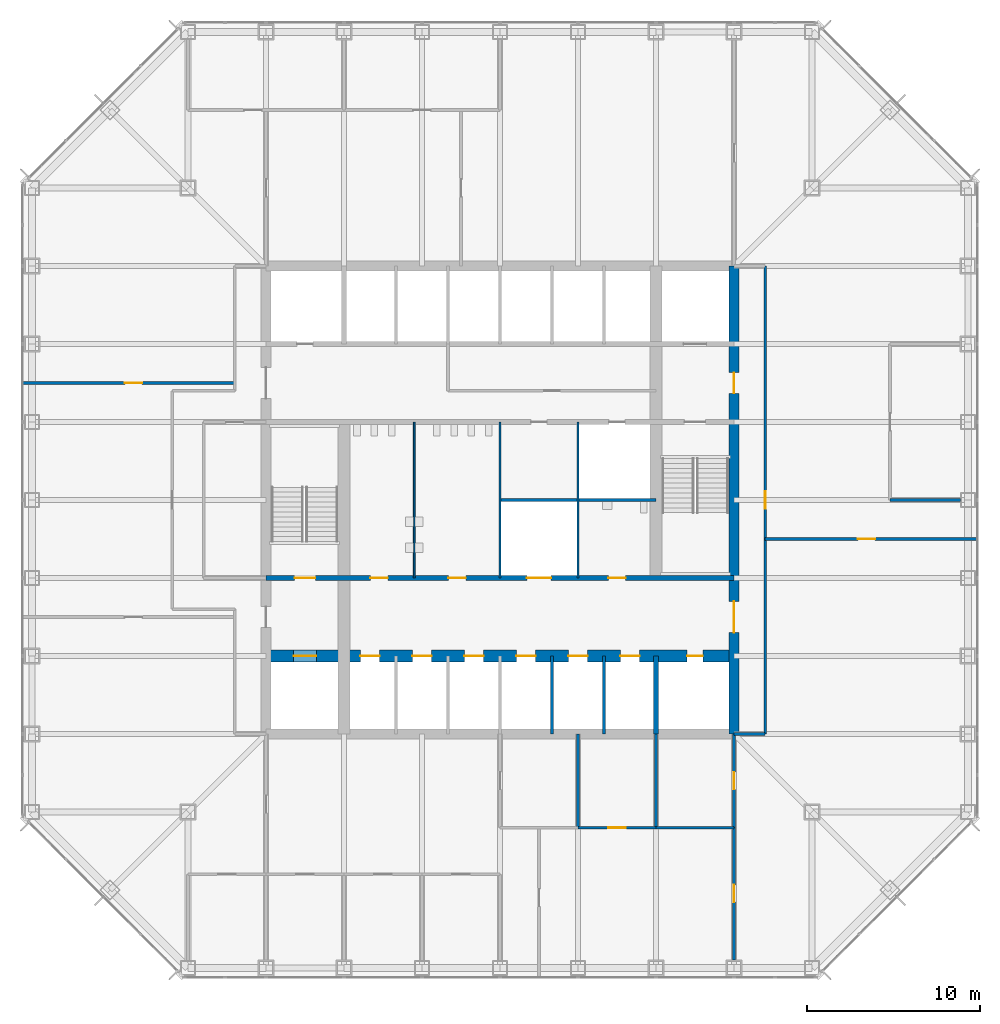
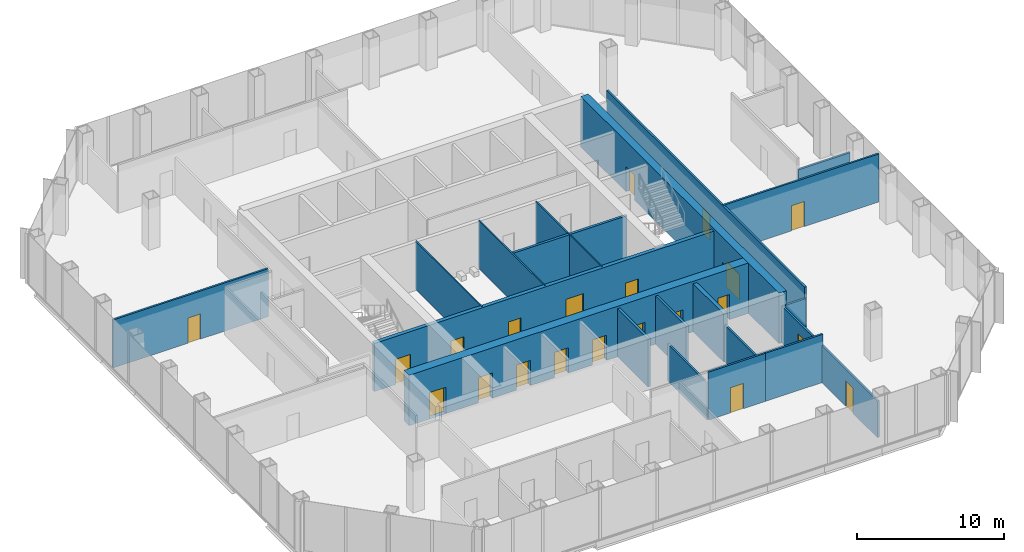
# One storey, part 9 of 12: 21 doors, 21 walls, 21 openings.
"""IFC4 building model written with IfcOpenShell, lengths in metres."""

from ifc_helpers import new_model, si_unit, direction, frame, frame_2d, origin, place, context, subcontext, project, spatial, rectangle, extrude, material, layer, layer_set, type_object, element, fill, save


model = new_model("IFC4")

# Units and contexts
model_context = context("Model", 3, precision=1e-05, world=origin(), true_north=direction((0.0, 1.0)))
body_context = subcontext(model_context, "Body", "Model", "MODEL_VIEW")
ifc_project = project(units=[si_unit("LENGTHUNIT", "METRE"), si_unit("AREAUNIT", "SQUARE_METRE"), si_unit("VOLUMEUNIT", "CUBIC_METRE"), si_unit("PLANEANGLEUNIT", "RADIAN"), si_unit("MASSUNIT", "GRAM", prefix="KILO")], contexts=[model_context])

# Site, building, storey
site_placement = place(None, origin())
site = spatial("IfcSite", under=ifc_project, at=site_placement, CompositionType="ELEMENT")
building_placement = place(site_placement, origin())
building = spatial("IfcBuilding", under=site, at=building_placement, Name="Corais Broadcast Tower", CompositionType="ELEMENT")
storey_placement = place(building_placement, frame((0.0, 0.0, 100.39990234375)))
storey = spatial("IfcBuildingStorey", under=building, at=storey_placement, Name="L22", CompositionType="ELEMENT", Elevation=100.39990234375)

# Wall
ifc_material_1 = material(Name="Concrete blockwork class A, grouted, two-hour", Category="masonry")
ifc_layer_1 = layer(ifc_material_1, 0.300048828125)
ifc_layer_set_1 = layer_set([ifc_layer_1], Name="Concrete blockwork class A, grouted, two-hour")
wall_type_1 = type_object("IfcWallType", Name="Core lobby wall 300", PredefinedType="SOLIDWALL", material=ifc_layer_set_1)
wall_1_placement = place(storey_placement, frame((36.0, 13.5, 0.0), z_axis=(0.0, 0.0, 1.0), x_axis=(0.0, 1.0, 0.0)))
element("IfcWall", 1, at=wall_1_placement, inside=storey, type_object=wall_type_1, Name="CL1 core shaft wall X36A L22", PredefinedType="SOLIDWALL", context=body_context, shape_type="SweptSolid", body=[
    extrude(rectangle(XDim=4.5, YDim=0.300048828125, at=frame_2d((2.25, 0.0))), origin(), (0.0, 0.0, 1.0), 4.0),
])

# Wall, openings, doors
wall_2_placement = place(storey_placement, frame((13.5, 22.5, 0.0), z_axis=(0.0, 0.0, 1.0), x_axis=(1.0, 0.0, 0.0)))
wall_2 = element("IfcWall", 2, at=wall_2_placement, inside=storey, type_object=wall_type_1, Name="CL1 core lobby wall Y225 L22", PredefinedType="SOLIDWALL", context=body_context, shape_type="SweptSolid", body=[
    extrude(rectangle(XDim=27.0, YDim=0.300048828125, at=frame_2d((13.5, 0.0))), origin(), (0.0, 0.0, 1.0), 4.0),
])
opening_1_placement = place(wall_2_placement, frame((1.64990234375, 0.0, 0.0)))
opening_1 = element("IfcOpeningElement", 3, at=opening_1_placement, cuts=wall_2, Name="Opening FD1", PredefinedType="OPENING", context=body_context, shape_type="SweptSolid", body=[
    extrude(rectangle(XDim=1.199951171875, YDim=2.10009765625, at=frame_2d((0.60009765625, 1.050048828125))), frame((0.0, 0.159912109375, 0.0), z_axis=(0.0, -1.0, 0.0), x_axis=(1.0, 0.0, 0.0)), (0.0, 0.0, 1.0), 0.320068359375),
])
opening_2_placement = place(wall_2_placement, frame((6.02490234375, 0.0, 0.0)))
opening_2 = element("IfcOpeningElement", 4, at=opening_2_placement, cuts=wall_2, Name="Opening WD1", PredefinedType="OPENING", context=body_context, shape_type="SweptSolid", body=[
    extrude(rectangle(XDim=1.0, YDim=2.10009765625, at=frame_2d((0.5, 1.050048828125))), frame((0.0, 0.159912109375, 0.0), z_axis=(0.0, -1.0, 0.0), x_axis=(1.0, 0.0, 0.0)), (0.0, 0.0, 1.0), 0.320068359375),
])
opening_3_placement = place(wall_2_placement, frame((10.52490234375, 0.0, 0.0)))
opening_3 = element("IfcOpeningElement", 5, at=opening_3_placement, cuts=wall_2, Name="Opening WD1", PredefinedType="OPENING", context=body_context, shape_type="SweptSolid", body=[
    extrude(rectangle(XDim=1.0, YDim=2.10009765625, at=frame_2d((0.5, 1.050048828125))), frame((0.0, 0.159912109375, 0.0), z_axis=(0.0, -1.0, 0.0), x_axis=(1.0, 0.0, 0.0)), (0.0, 0.0, 1.0), 0.320068359375),
])
opening_4_placement = place(wall_2_placement, frame((19.75, 0.0, 0.0)))
opening_4 = element("IfcOpeningElement", 6, at=opening_4_placement, cuts=wall_2, Name="Opening WD1", PredefinedType="OPENING", context=body_context, shape_type="SweptSolid", body=[
    extrude(rectangle(XDim=1.0, YDim=2.10009765625, at=frame_2d((0.5, 1.050048828125))), frame((0.0, 0.159912109375, 0.0), z_axis=(0.0, -1.0, 0.0), x_axis=(1.0, 0.0, 0.0)), (0.0, 0.0, 1.0), 0.320068359375),
])
opening_5_placement = place(wall_2_placement, frame((15.050048828125, 0.0, 0.0)))
opening_5 = element("IfcOpeningElement", 7, at=opening_5_placement, cuts=wall_2, Name="Opening LD3", PredefinedType="OPENING", context=body_context, shape_type="SweptSolid", body=[
    extrude(rectangle(XDim=1.39990234375, YDim=2.39990234375, at=frame_2d((0.699951171875, 1.199951171875))), frame((0.0, 0.159912109375, 0.0), z_axis=(0.0, -1.0, 0.0), x_axis=(1.0, 0.0, 0.0)), (0.0, 0.0, 1.0), 0.320068359375),
])
ifc_material_2 = material(Name="Steel fire door", Category="steel")
door_type_1 = type_object("IfcDoorType", Name="Fire door 1200x2100", OperationType="SINGLE_SWING_LEFT", PredefinedType="DOOR", material=ifc_material_2)
door_1_placement = place(opening_1_placement, origin())
door_1 = element("IfcDoor", 8, at=door_1_placement, inside=storey, type_object=door_type_1, Name="FD1 stair A door L22", OperationType="SINGLE_SWING_LEFT", OverallHeight=2.10009765625, OverallWidth=1.199951171875, PredefinedType="DOOR", context=body_context, shape_type="SweptSolid", body=[
    extrude(rectangle(XDim=1.199951171875, YDim=2.10009765625, at=frame_2d((0.60009765625, 1.050048828125))), frame((0.0, 0.02490234375, 0.0), z_axis=(0.0, -1.0, 0.0), x_axis=(1.0, 0.0, 0.0)), (0.0, 0.0, 1.0), 0.050048828125),
])
fill(opening_1, door_1)
ifc_material_3 = material(Name="Stainless steel lift door", Category="steel")
door_type_2 = type_object("IfcDoorType", Name="Service lift landing door 1400x2400", OperationType="SLIDING_TO_LEFT", PredefinedType="DOOR", material=ifc_material_3)
door_2_placement = place(opening_5_placement, origin())
door_2 = element("IfcDoor", 9, at=door_2_placement, inside=storey, type_object=door_type_2, Name="LD3 SL1 landing door L22", OperationType="SLIDING_TO_LEFT", OverallHeight=2.39990234375, OverallWidth=1.39990234375, PredefinedType="DOOR", context=body_context, shape_type="SweptSolid", body=[
    extrude(rectangle(XDim=1.39990234375, YDim=2.39990234375, at=frame_2d((0.699951171875, 1.199951171875))), frame((0.0, 0.02490234375, 0.0), z_axis=(0.0, -1.0, 0.0), x_axis=(1.0, 0.0, 0.0)), (0.0, 0.0, 1.0), 0.050048828125),
])
fill(opening_5, door_2)
ifc_material_4 = material(Name="Timber door", Category="wood")
door_type_3 = type_object("IfcDoorType", Name="Toilet door 1000x2100", OperationType="SINGLE_SWING_LEFT", PredefinedType="DOOR", material=ifc_material_4)
door_3_placement = place(opening_2_placement, origin())
door_3 = element("IfcDoor", 10, at=door_3_placement, inside=storey, type_object=door_type_3, Name="WD1 WC male door L22", OperationType="SINGLE_SWING_LEFT", OverallHeight=2.10009765625, OverallWidth=1.0, PredefinedType="DOOR", context=body_context, shape_type="SweptSolid", body=[
    extrude(rectangle(XDim=1.0, YDim=2.10009765625, at=frame_2d((0.5, 1.050048828125))), frame((0.0, 0.02490234375, 0.0), z_axis=(0.0, -1.0, 0.0), x_axis=(1.0, 0.0, 0.0)), (0.0, 0.0, 1.0), 0.050048828125),
])
fill(opening_2, door_3)
door_4_placement = place(opening_3_placement, origin())
door_4 = element("IfcDoor", 11, at=door_4_placement, inside=storey, type_object=door_type_3, Name="WD1 WC female door L22", OperationType="SINGLE_SWING_LEFT", OverallHeight=2.10009765625, OverallWidth=1.0, PredefinedType="DOOR", context=body_context, shape_type="SweptSolid", body=[
    extrude(rectangle(XDim=1.0, YDim=2.10009765625, at=frame_2d((0.5, 1.050048828125))), frame((0.0, 0.02490234375, 0.0), z_axis=(0.0, -1.0, 0.0), x_axis=(1.0, 0.0, 0.0)), (0.0, 0.0, 1.0), 0.050048828125),
])
fill(opening_3, door_4)
door_5_placement = place(opening_4_placement, origin())
door_5 = element("IfcDoor", 12, at=door_5_placement, inside=storey, type_object=door_type_3, Name="WD1 accessible WC door L22", OperationType="SINGLE_SWING_RIGHT", OverallHeight=2.10009765625, OverallWidth=1.0, PredefinedType="DOOR", context=body_context, shape_type="SweptSolid", body=[
    extrude(rectangle(XDim=1.0, YDim=2.10009765625, at=frame_2d((0.5, 1.050048828125))), frame((0.0, 0.02490234375, 0.0), z_axis=(0.0, -1.0, 0.0), x_axis=(1.0, 0.0, 0.0)), (0.0, 0.0, 1.0), 0.050048828125),
])
fill(opening_4, door_5)

ifc_material_5 = material(Name="Concrete C50/60", Category="concrete")
ifc_layer_2 = layer(ifc_material_5, 0.699951171875)
ifc_layer_set_2 = layer_set([ifc_layer_2], Name="Concrete C50/60")
wall_type_2 = type_object("IfcWallType", Name="Core spine wall 700", PredefinedType="SHEAR", material=ifc_layer_set_2)
wall_3_placement = place(storey_placement, frame((13.5, 18.0, 0.0), z_axis=(0.0, 0.0, 1.0), x_axis=(1.0, 0.0, 0.0)))
wall_3 = element("IfcWall", 13, at=wall_3_placement, inside=storey, type_object=wall_type_2, Name="CR700 core wall Y18 L22", PredefinedType="SHEAR", context=body_context, shape_type="SweptSolid", body=[
    extrude(rectangle(XDim=27.0, YDim=0.699951171875, at=frame_2d((13.5, 0.0))), origin(), (0.0, 0.0, 1.0), 4.2001953125),
])
opening_6_placement = place(wall_3_placement, frame((24.300048828125, 0.0, 0.0)))
opening_6 = element("IfcOpeningElement", 14, at=opening_6_placement, cuts=wall_3, Name="Opening RD1", PredefinedType="OPENING", context=body_context, shape_type="SweptSolid", body=[
    extrude(rectangle(XDim=0.89990234375, YDim=2.10009765625, at=frame_2d((0.449951171875, 1.050048828125))), frame((0.0, 0.35986328125, 0.0), z_axis=(0.0, -1.0, 0.0), x_axis=(1.0, 0.0, 0.0)), (0.0, 0.0, 1.0), 0.719970703125),
])
opening_7_placement = place(wall_3_placement, frame((5.449951171875, 0.0, 0.0)))
opening_7 = element("IfcOpeningElement", 15, at=opening_7_placement, cuts=wall_3, Name="Opening LD1", PredefinedType="OPENING", context=body_context, shape_type="SweptSolid", body=[
    extrude(rectangle(XDim=1.10009765625, YDim=2.10009765625, at=frame_2d((0.550048828125, 1.050048828125))), frame((0.0, 0.35986328125, 0.0), z_axis=(0.0, -1.0, 0.0), x_axis=(1.0, 0.0, 0.0)), (0.0, 0.0, 1.0), 0.719970703125),
])
opening_8_placement = place(wall_3_placement, frame((8.449951171875, 0.0, 0.0)))
opening_8 = element("IfcOpeningElement", 16, at=opening_8_placement, cuts=wall_3, Name="Opening LD1", PredefinedType="OPENING", context=body_context, shape_type="SweptSolid", body=[
    extrude(rectangle(XDim=1.10009765625, YDim=2.10009765625, at=frame_2d((0.550048828125, 1.050048828125))), frame((0.0, 0.35986328125, 0.0), z_axis=(0.0, -1.0, 0.0), x_axis=(1.0, 0.0, 0.0)), (0.0, 0.0, 1.0), 0.719970703125),
])
opening_9_placement = place(wall_3_placement, frame((11.449951171875, 0.0, 0.0)))
opening_9 = element("IfcOpeningElement", 17, at=opening_9_placement, cuts=wall_3, Name="Opening LD1", PredefinedType="OPENING", context=body_context, shape_type="SweptSolid", body=[
    extrude(rectangle(XDim=1.10009765625, YDim=2.10009765625, at=frame_2d((0.550048828125, 1.050048828125))), frame((0.0, 0.35986328125, 0.0), z_axis=(0.0, -1.0, 0.0), x_axis=(1.0, 0.0, 0.0)), (0.0, 0.0, 1.0), 0.719970703125),
])
opening_10_placement = place(wall_3_placement, frame((14.449951171875, 0.0, 0.0)))
opening_10 = element("IfcOpeningElement", 18, at=opening_10_placement, cuts=wall_3, Name="Opening LD1", PredefinedType="OPENING", context=body_context, shape_type="SweptSolid", body=[
    extrude(rectangle(XDim=1.10009765625, YDim=2.10009765625, at=frame_2d((0.550048828125, 1.050048828125))), frame((0.0, 0.35986328125, 0.0), z_axis=(0.0, -1.0, 0.0), x_axis=(1.0, 0.0, 0.0)), (0.0, 0.0, 1.0), 0.719970703125),
])
opening_11_placement = place(wall_3_placement, frame((17.449951171875, 0.0, 0.0)))
opening_11 = element("IfcOpeningElement", 19, at=opening_11_placement, cuts=wall_3, Name="Opening LD1", PredefinedType="OPENING", context=body_context, shape_type="SweptSolid", body=[
    extrude(rectangle(XDim=1.10009765625, YDim=2.10009765625, at=frame_2d((0.550048828125, 1.050048828125))), frame((0.0, 0.35986328125, 0.0), z_axis=(0.0, -1.0, 0.0), x_axis=(1.0, 0.0, 0.0)), (0.0, 0.0, 1.0), 0.719970703125),
])
opening_12_placement = place(wall_3_placement, frame((20.449951171875, 0.0, 0.0)))
opening_12 = element("IfcOpeningElement", 20, at=opening_12_placement, cuts=wall_3, Name="Opening LD1", PredefinedType="OPENING", context=body_context, shape_type="SweptSolid", body=[
    extrude(rectangle(XDim=1.10009765625, YDim=2.10009765625, at=frame_2d((0.550048828125, 1.050048828125))), frame((0.0, 0.35986328125, 0.0), z_axis=(0.0, -1.0, 0.0), x_axis=(1.0, 0.0, 0.0)), (0.0, 0.0, 1.0), 0.719970703125),
])
opening_13_placement = place(wall_3_placement, frame((1.60009765625, 0.0, 0.0)))
opening_13 = element("IfcOpeningElement", 21, at=opening_13_placement, cuts=wall_3, Name="Opening LD2", PredefinedType="OPENING", context=body_context, shape_type="SweptSolid", body=[
    extrude(rectangle(XDim=1.300048828125, YDim=2.199951171875, at=frame_2d((0.64990234375, 1.10009765625))), frame((0.0, 0.35986328125, 0.0), z_axis=(0.0, -1.0, 0.0), x_axis=(1.0, 0.0, 0.0)), (0.0, 0.0, 1.0), 0.719970703125),
])
ifc_material_6 = material(Name="Stainless steel lift door", Category="steel")
door_type_4 = type_object("IfcDoorType", Name="Lift landing door 1100x2100", OperationType="SLIDING_TO_LEFT", PredefinedType="DOOR", material=ifc_material_6)
door_6_placement = place(opening_7_placement, origin())
door_6 = element("IfcDoor", 22, at=door_6_placement, inside=storey, type_object=door_type_4, Name="LD1 PL1 landing door L22", OperationType="SLIDING_TO_LEFT", OverallHeight=2.10009765625, OverallWidth=1.10009765625, PredefinedType="DOOR", context=body_context, shape_type="SweptSolid", body=[
    extrude(rectangle(XDim=1.10009765625, YDim=2.10009765625, at=frame_2d((0.550048828125, 1.050048828125))), frame((0.0, 0.02490234375, 0.0), z_axis=(0.0, -1.0, 0.0), x_axis=(1.0, 0.0, 0.0)), (0.0, 0.0, 1.0), 0.050048828125),
])
fill(opening_7, door_6)
door_7_placement = place(opening_8_placement, origin())
door_7 = element("IfcDoor", 23, at=door_7_placement, inside=storey, type_object=door_type_4, Name="LD1 PL2 landing door L22", OperationType="SLIDING_TO_LEFT", OverallHeight=2.10009765625, OverallWidth=1.10009765625, PredefinedType="DOOR", context=body_context, shape_type="SweptSolid", body=[
    extrude(rectangle(XDim=1.10009765625, YDim=2.10009765625, at=frame_2d((0.550048828125, 1.050048828125))), frame((0.0, 0.02490234375, 0.0), z_axis=(0.0, -1.0, 0.0), x_axis=(1.0, 0.0, 0.0)), (0.0, 0.0, 1.0), 0.050048828125),
])
fill(opening_8, door_7)
door_8_placement = place(opening_9_placement, origin())
door_8 = element("IfcDoor", 24, at=door_8_placement, inside=storey, type_object=door_type_4, Name="LD1 PL3 landing door L22", OperationType="SLIDING_TO_LEFT", OverallHeight=2.10009765625, OverallWidth=1.10009765625, PredefinedType="DOOR", context=body_context, shape_type="SweptSolid", body=[
    extrude(rectangle(XDim=1.10009765625, YDim=2.10009765625, at=frame_2d((0.550048828125, 1.050048828125))), frame((0.0, 0.02490234375, 0.0), z_axis=(0.0, -1.0, 0.0), x_axis=(1.0, 0.0, 0.0)), (0.0, 0.0, 1.0), 0.050048828125),
])
fill(opening_9, door_8)
door_9_placement = place(opening_10_placement, origin())
door_9 = element("IfcDoor", 25, at=door_9_placement, inside=storey, type_object=door_type_4, Name="LD1 PL4 landing door L22", OperationType="SLIDING_TO_LEFT", OverallHeight=2.10009765625, OverallWidth=1.10009765625, PredefinedType="DOOR", context=body_context, shape_type="SweptSolid", body=[
    extrude(rectangle(XDim=1.10009765625, YDim=2.10009765625, at=frame_2d((0.550048828125, 1.050048828125))), frame((0.0, 0.02490234375, 0.0), z_axis=(0.0, -1.0, 0.0), x_axis=(1.0, 0.0, 0.0)), (0.0, 0.0, 1.0), 0.050048828125),
])
fill(opening_10, door_9)
door_10_placement = place(opening_11_placement, origin())
door_10 = element("IfcDoor", 26, at=door_10_placement, inside=storey, type_object=door_type_4, Name="LD1 PL5 landing door L22", OperationType="SLIDING_TO_LEFT", OverallHeight=2.10009765625, OverallWidth=1.10009765625, PredefinedType="DOOR", context=body_context, shape_type="SweptSolid", body=[
    extrude(rectangle(XDim=1.10009765625, YDim=2.10009765625, at=frame_2d((0.550048828125, 1.050048828125))), frame((0.0, 0.02490234375, 0.0), z_axis=(0.0, -1.0, 0.0), x_axis=(1.0, 0.0, 0.0)), (0.0, 0.0, 1.0), 0.050048828125),
])
fill(opening_11, door_10)
door_11_placement = place(opening_12_placement, origin())
door_11 = element("IfcDoor", 27, at=door_11_placement, inside=storey, type_object=door_type_4, Name="LD1 PL6 landing door L22", OperationType="SLIDING_TO_LEFT", OverallHeight=2.10009765625, OverallWidth=1.10009765625, PredefinedType="DOOR", context=body_context, shape_type="SweptSolid", body=[
    extrude(rectangle(XDim=1.10009765625, YDim=2.10009765625, at=frame_2d((0.550048828125, 1.050048828125))), frame((0.0, 0.02490234375, 0.0), z_axis=(0.0, -1.0, 0.0), x_axis=(1.0, 0.0, 0.0)), (0.0, 0.0, 1.0), 0.050048828125),
])
fill(opening_12, door_11)
ifc_material_7 = material(Name="Stainless steel lift door", Category="steel")
door_type_5 = type_object("IfcDoorType", Name="Lift landing door 1300x2200", OperationType="SLIDING_TO_LEFT", PredefinedType="DOOR", material=ifc_material_7)
door_12_placement = place(opening_13_placement, origin())
door_12 = element("IfcDoor", 28, at=door_12_placement, inside=storey, type_object=door_type_5, Name="LD2 FL1 landing door L22", OperationType="SLIDING_TO_LEFT", OverallHeight=2.199951171875, OverallWidth=1.300048828125, PredefinedType="DOOR", context=body_context, shape_type="SweptSolid", body=[
    extrude(rectangle(XDim=1.300048828125, YDim=2.199951171875, at=frame_2d((0.64990234375, 1.10009765625))), frame((0.0, 0.02490234375, 0.0), z_axis=(0.0, -1.0, 0.0), x_axis=(1.0, 0.0, 0.0)), (0.0, 0.0, 1.0), 0.050048828125),
])
fill(opening_13, door_12)
ifc_material_8 = material(Name="Steel fire door", Category="steel")
door_type_6 = type_object("IfcDoorType", Name="Riser door 900x2100", OperationType="SINGLE_SWING_LEFT", PredefinedType="DOOR", material=ifc_material_8)
door_13_placement = place(opening_6_placement, origin())
door_13 = element("IfcDoor", 29, at=door_13_placement, inside=storey, type_object=door_type_6, Name="RD1 riser door L22", OperationType="SINGLE_SWING_RIGHT", OverallHeight=2.10009765625, OverallWidth=0.89990234375, PredefinedType="DOOR", context=body_context, shape_type="SweptSolid", body=[
    extrude(rectangle(XDim=0.89990234375, YDim=2.10009765625, at=frame_2d((0.449951171875, 1.050048828125))), frame((0.0, 0.02490234375, 0.0), z_axis=(0.0, -1.0, 0.0), x_axis=(1.0, 0.0, 0.0)), (0.0, 0.0, 1.0), 0.050048828125),
])
fill(opening_6, door_13)

ifc_material_9 = material(Name="Concrete C50/60", Category="concrete")
ifc_layer_3 = layer(ifc_material_9, 0.60009765625)
ifc_layer_set_3 = layer_set([ifc_layer_3], Name="Concrete C50/60")
wall_type_3 = type_object("IfcWallType", Name="Core wall 600", PredefinedType="SHEAR", material=ifc_layer_set_3)
wall_4_placement = place(storey_placement, frame((40.5, 13.5, 0.0), z_axis=(0.0, 0.0, 1.0), x_axis=(0.0, 1.0, 0.0)))
wall_4 = element("IfcWall", 30, at=wall_4_placement, inside=storey, type_object=wall_type_3, Name="CR600 core wall E L22", PredefinedType="SHEAR", context=body_context, shape_type="SweptSolid", body=[
    extrude(rectangle(XDim=27.0, YDim=0.60009765625, at=frame_2d((13.5, 0.0))), origin(), (0.0, 0.0, 1.0), 4.2001953125),
])
opening_14_placement = place(wall_4_placement, frame((5.85009765625, 0.0, 0.0)))
opening_14 = element("IfcOpeningElement", 31, at=opening_14_placement, cuts=wall_4, Name="Opening FD2", PredefinedType="OPENING", context=body_context, shape_type="SweptSolid", body=[
    extrude(rectangle(XDim=1.800048828125, YDim=2.10009765625, at=frame_2d((0.89990234375, 1.050048828125))), frame((0.0, 0.31005859375, 0.0), z_axis=(0.0, -1.0, 0.0), x_axis=(1.0, 0.0, 0.0)), (0.0, 0.0, 1.0), 0.6201171875),
])
opening_15_placement = place(wall_4_placement, frame((19.64990234375, 0.0, 0.0)))
opening_15 = element("IfcOpeningElement", 32, at=opening_15_placement, cuts=wall_4, Name="Opening FD1", PredefinedType="OPENING", context=body_context, shape_type="SweptSolid", body=[
    extrude(rectangle(XDim=1.199951171875, YDim=2.10009765625, at=frame_2d((0.60009765625, 1.050048828125))), frame((0.0, 0.31005859375, 0.0), z_axis=(0.0, -1.0, 0.0), x_axis=(1.0, 0.0, 0.0)), (0.0, 0.0, 1.0), 0.6201171875),
])
door_14_placement = place(opening_15_placement, origin())
door_14 = element("IfcDoor", 33, at=door_14_placement, inside=storey, type_object=door_type_1, Name="FD1 fire lobby B door L22", OperationType="SINGLE_SWING_RIGHT", OverallHeight=2.10009765625, OverallWidth=1.199951171875, PredefinedType="DOOR", context=body_context, shape_type="SweptSolid", body=[
    extrude(rectangle(XDim=1.199951171875, YDim=2.10009765625, at=frame_2d((0.60009765625, 1.050048828125))), frame((0.0, 0.02490234375, 0.0), z_axis=(0.0, -1.0, 0.0), x_axis=(1.0, 0.0, 0.0)), (0.0, 0.0, 1.0), 0.050048828125),
])
fill(opening_15, door_14)
ifc_material_10 = material(Name="Steel fire door", Category="steel")
door_type_7 = type_object("IfcDoorType", Name="Fire door pair 1800x2100", OperationType="DOUBLE_DOOR_SINGLE_SWING", PredefinedType="DOOR", material=ifc_material_10)
door_15_placement = place(opening_14_placement, origin())
door_15 = element("IfcDoor", 34, at=door_15_placement, inside=storey, type_object=door_type_7, Name="FD2 lift lobby door L22", OperationType="SINGLE_SWING_LEFT", OverallHeight=2.10009765625, OverallWidth=1.800048828125, PredefinedType="DOOR", context=body_context, shape_type="SweptSolid", body=[
    extrude(rectangle(XDim=1.800048828125, YDim=2.10009765625, at=frame_2d((0.89990234375, 1.050048828125))), frame((0.0, 0.02490234375, 0.0), z_axis=(0.0, -1.0, 0.0), x_axis=(1.0, 0.0, 0.0)), (0.0, 0.0, 1.0), 0.050048828125),
])
fill(opening_14, door_15)

# Wall, opening, door
ifc_material_11 = material(Name="Gypsum board on steel studs", Category="steel")
ifc_layer_4 = layer(ifc_material_11, 0.14990234375)
ifc_layer_set_4 = layer_set([ifc_layer_4], Name="Gypsum board on steel studs")
wall_type_4 = type_object("IfcWallType", Name="Partition 150", PredefinedType="PARTITIONING", material=ifc_layer_set_4)
wall_5_placement = place(storey_placement, frame((42.300048828125, 13.5, 0.0), z_axis=(0.0, 0.0, 1.0), x_axis=(0.0, 1.0, 0.0)))
wall_5 = element("IfcWall", 35, at=wall_5_placement, inside=storey, type_object=wall_type_4, Name="IW3 corridor wall L22", PredefinedType="PARTITIONING", context=body_context, shape_type="SweptSolid", body=[
    extrude(rectangle(XDim=27.0, YDim=0.14990234375, at=frame_2d((13.5, 0.0))), origin(), (0.0, 0.0, 1.0), 4.0),
])
opening_16_placement = place(wall_5_placement, frame((13.0, 0.0, 0.0)))
opening_16 = element("IfcOpeningElement", 36, at=opening_16_placement, cuts=wall_5, Name="Opening D1", PredefinedType="OPENING", context=body_context, shape_type="SweptSolid", body=[
    extrude(rectangle(XDim=1.0, YDim=2.10009765625, at=frame_2d((0.5, 1.050048828125))), frame((0.0, 0.0849609375, 0.0), z_axis=(0.0, -1.0, 0.0), x_axis=(1.0, 0.0, 0.0)), (0.0, 0.0, 1.0), 0.169921875),
])
ifc_material_12 = material(Name="Timber door", Category="wood")
door_type_8 = type_object("IfcDoorType", Name="Single door 1000x2100", OperationType="SINGLE_SWING_LEFT", PredefinedType="DOOR", material=ifc_material_12)
door_16_placement = place(opening_16_placement, origin())
door_16 = element("IfcDoor", 37, at=door_16_placement, inside=storey, type_object=door_type_8, Name="D1 workplace door L22", OperationType="SINGLE_SWING_LEFT", OverallHeight=2.10009765625, OverallWidth=1.0, PredefinedType="DOOR", context=body_context, shape_type="SweptSolid", body=[
    extrude(rectangle(XDim=1.0, YDim=2.10009765625, at=frame_2d((0.5, 1.050048828125))), frame((0.0, 0.02490234375, 0.0), z_axis=(0.0, -1.0, 0.0), x_axis=(1.0, 0.0, 0.0)), (0.0, 0.0, 1.0), 0.050048828125),
])
fill(opening_16, door_16)

# Walls
wall_6_placement = place(storey_placement, frame((40.5, 13.5, 0.0), z_axis=(0.0, 0.0, 1.0), x_axis=(1.0, 0.0, 0.0)))
element("IfcWall", 38, at=wall_6_placement, inside=storey, type_object=wall_type_4, Name="IW3 corridor wall L22", PredefinedType="PARTITIONING", context=body_context, shape_type="SweptSolid", body=[
    extrude(rectangle(XDim=1.800048828125, YDim=0.14990234375, at=frame_2d((0.89990234375, 0.0))), origin(), (0.0, 0.0, 1.0), 3.068115234375),
])
wall_7_placement = place(storey_placement, frame((31.5, 8.10009765625, 0.0), z_axis=(0.0, 0.0, 1.0), x_axis=(0.0, 1.0, 0.0)))
element("IfcWall", 39, at=wall_7_placement, inside=storey, type_object=wall_type_4, Name="IW3 partition L22", PredefinedType="PARTITIONING", context=body_context, shape_type="SweptSolid", body=[
    extrude(rectangle(XDim=5.39990234375, YDim=0.14990234375, at=frame_2d((2.699951171875, 0.0))), origin(), (0.0, 0.0, 1.0), 3.068115234375),
])

# Wall, opening, door
wall_8_placement = place(storey_placement, frame((31.5, 8.10009765625, 0.0), z_axis=(0.0, 0.0, 1.0), x_axis=(1.0, 0.0, 0.0)))
wall_8 = element("IfcWall", 40, at=wall_8_placement, inside=storey, type_object=wall_type_4, Name="IW3 partition L22", PredefinedType="PARTITIONING", context=body_context, shape_type="SweptSolid", body=[
    extrude(rectangle(XDim=4.5, YDim=0.14990234375, at=frame_2d((2.25, 0.0))), origin(), (0.0, 0.0, 1.0), 4.0),
])
opening_17_placement = place(wall_8_placement, frame((1.75, 0.0, 0.0)))
opening_17 = element("IfcOpeningElement", 41, at=opening_17_placement, cuts=wall_8, Name="Opening D1", PredefinedType="OPENING", context=body_context, shape_type="SweptSolid", body=[
    extrude(rectangle(XDim=1.0, YDim=2.10009765625, at=frame_2d((0.5, 1.050048828125))), frame((0.0, 0.0849609375, 0.0), z_axis=(0.0, -1.0, 0.0), x_axis=(1.0, 0.0, 0.0)), (0.0, 0.0, 1.0), 0.169921875),
])
door_17_placement = place(opening_17_placement, origin())
door_17 = element("IfcDoor", 42, at=door_17_placement, inside=storey, type_object=door_type_8, Name="D1 Tutor office door", OperationType="SINGLE_SWING_LEFT", OverallHeight=2.10009765625, OverallWidth=1.0, PredefinedType="DOOR", context=body_context, shape_type="SweptSolid", body=[
    extrude(rectangle(XDim=1.0, YDim=2.10009765625, at=frame_2d((0.5, 1.050048828125))), frame((0.0, 0.02490234375, 0.0), z_axis=(0.0, -1.0, 0.0), x_axis=(1.0, 0.0, 0.0)), (0.0, 0.0, 1.0), 0.050048828125),
])
fill(opening_17, door_17)

# Walls
wall_9_placement = place(storey_placement, frame((36.0, 8.10009765625, 0.0), z_axis=(0.0, 0.0, 1.0), x_axis=(0.0, 1.0, 0.0)))
element("IfcWall", 43, at=wall_9_placement, inside=storey, type_object=wall_type_4, Name="IW3 partition L22", PredefinedType="PARTITIONING", context=body_context, shape_type="SweptSolid", body=[
    extrude(rectangle(XDim=5.39990234375, YDim=0.14990234375, at=frame_2d((2.699951171875, 0.0))), origin(), (0.0, 0.0, 1.0), 3.068115234375),
])
wall_10_placement = place(storey_placement, frame((36.0, 8.10009765625, 0.0), z_axis=(0.0, 0.0, 1.0), x_axis=(1.0, 0.0, 0.0)))
element("IfcWall", 44, at=wall_10_placement, inside=storey, type_object=wall_type_4, Name="IW3 partition L22", PredefinedType="PARTITIONING", context=body_context, shape_type="SweptSolid", body=[
    extrude(rectangle(XDim=4.5, YDim=0.14990234375, at=frame_2d((2.25, 0.0))), origin(), (0.0, 0.0, 1.0), 4.0),
])

# Wall, opening, door
wall_11_placement = place(storey_placement, frame((40.5, 8.10009765625, 0.0), z_axis=(0.0, 0.0, 1.0), x_axis=(0.0, 1.0, 0.0)))
wall_11 = element("IfcWall", 45, at=wall_11_placement, inside=storey, type_object=wall_type_4, Name="IW3 partition L22", PredefinedType="PARTITIONING", context=body_context, shape_type="SweptSolid", body=[
    extrude(rectangle(XDim=5.39990234375, YDim=0.14990234375, at=frame_2d((2.699951171875, 0.0))), origin(), (0.0, 0.0, 1.0), 3.068115234375),
])
opening_18_placement = place(wall_11_placement, frame((2.199951171875, 0.0, 0.0)))
opening_18 = element("IfcOpeningElement", 46, at=opening_18_placement, cuts=wall_11, Name="Opening D1", PredefinedType="OPENING", context=body_context, shape_type="SweptSolid", body=[
    extrude(rectangle(XDim=1.0, YDim=2.10009765625, at=frame_2d((0.5, 1.050048828125))), frame((0.0, 0.0849609375, 0.0), z_axis=(0.0, -1.0, 0.0), x_axis=(1.0, 0.0, 0.0)), (0.0, 0.0, 1.0), 0.169921875),
])
door_18_placement = place(opening_18_placement, origin())
door_18 = element("IfcDoor", 47, at=door_18_placement, inside=storey, type_object=door_type_8, Name="D1 Tutor office door", OperationType="SINGLE_SWING_LEFT", OverallHeight=2.10009765625, OverallWidth=1.0, PredefinedType="DOOR", context=body_context, shape_type="SweptSolid", body=[
    extrude(rectangle(XDim=1.0, YDim=2.10009765625, at=frame_2d((0.5, 1.050048828125))), frame((0.0, 0.02490234375, 0.0), z_axis=(0.0, -1.0, 0.0), x_axis=(1.0, 0.0, 0.0)), (0.0, 0.0, 1.0), 0.050048828125),
])
fill(opening_18, door_18)

# Wall
wall_12_placement = place(storey_placement, frame((49.5, 27.0, 0.0), z_axis=(0.0, 0.0, 1.0), x_axis=(1.0, 0.0, 0.0)))
element("IfcWall", 48, at=wall_12_placement, inside=storey, type_object=wall_type_4, Name="IW3 partition L22", PredefinedType="PARTITIONING", context=body_context, shape_type="SweptSolid", body=[
    extrude(rectangle(XDim=4.06494140625, YDim=0.14990234375, at=frame_2d((2.032470703125, 0.0))), origin(), (0.0, 0.0, 1.0), 3.068115234375),
])

# Wall, opening, door
wall_13_placement = place(storey_placement, frame((54.52001953125, 24.75, 0.0), z_axis=(0.0, 0.0, 1.0), x_axis=(-1.0, 0.0, 0.0)))
wall_13 = element("IfcWall", 49, at=wall_13_placement, inside=storey, type_object=wall_type_4, Name="IW3 partition L22", PredefinedType="PARTITIONING", context=body_context, shape_type="SweptSolid", body=[
    extrude(rectangle(XDim=12.219970703125, YDim=0.14990234375, at=frame_2d((6.10986328125, 0.0))), origin(), (0.0, 0.0, 1.0), 4.0),
])
opening_19_placement = place(wall_13_placement, frame((5.8701171875, 0.0, 0.0)))
opening_19 = element("IfcOpeningElement", 50, at=opening_19_placement, cuts=wall_13, Name="Opening D1", PredefinedType="OPENING", context=body_context, shape_type="SweptSolid", body=[
    extrude(rectangle(XDim=1.0, YDim=2.10009765625, at=frame_2d((0.5, 1.050048828125))), frame((0.0, 0.0849609375, 0.0), z_axis=(0.0, -1.0, 0.0), x_axis=(1.0, 0.0, 0.0)), (0.0, 0.0, 1.0), 0.169921875),
])
door_19_placement = place(opening_19_placement, origin())
door_19 = element("IfcDoor", 51, at=door_19_placement, inside=storey, type_object=door_type_8, Name="D1 team room door L22", OperationType="SINGLE_SWING_RIGHT", OverallHeight=2.10009765625, OverallWidth=1.0, PredefinedType="DOOR", context=body_context, shape_type="SweptSolid", body=[
    extrude(rectangle(XDim=1.0, YDim=2.10009765625, at=frame_2d((0.5, 1.050048828125))), frame((0.0, 0.02490234375, 0.0), z_axis=(0.0, -1.0, 0.0), x_axis=(1.0, 0.0, 0.0)), (0.0, 0.0, 1.0), 0.050048828125),
])
fill(opening_19, door_19)

wall_14_placement = place(storey_placement, frame((11.699951171875, 33.75, 0.0), z_axis=(0.0, 0.0, 1.0), x_axis=(-1.0, 0.0, 0.0)))
wall_14 = element("IfcWall", 52, at=wall_14_placement, inside=storey, type_object=wall_type_4, Name="IW3 partition L22", PredefinedType="PARTITIONING", context=body_context, shape_type="SweptSolid", body=[
    extrude(rectangle(XDim=12.219970703125, YDim=0.14990234375, at=frame_2d((6.10986328125, 0.0))), origin(), (0.0, 0.0, 1.0), 4.0),
])
opening_20_placement = place(wall_14_placement, frame((5.35009765625, 0.0, 0.0)))
opening_20 = element("IfcOpeningElement", 53, at=opening_20_placement, cuts=wall_14, Name="Opening D1", PredefinedType="OPENING", context=body_context, shape_type="SweptSolid", body=[
    extrude(rectangle(XDim=1.0, YDim=2.10009765625, at=frame_2d((0.5, 1.050048828125))), frame((0.0, 0.0849609375, 0.0), z_axis=(0.0, -1.0, 0.0), x_axis=(1.0, 0.0, 0.0)), (0.0, 0.0, 1.0), 0.169921875),
])
door_20_placement = place(opening_20_placement, origin())
door_20 = element("IfcDoor", 54, at=door_20_placement, inside=storey, type_object=door_type_8, Name="D1 team room door L22", OperationType="SINGLE_SWING_LEFT", OverallHeight=2.10009765625, OverallWidth=1.0, PredefinedType="DOOR", context=body_context, shape_type="SweptSolid", body=[
    extrude(rectangle(XDim=1.0, YDim=2.10009765625, at=frame_2d((0.5, 1.050048828125))), frame((0.0, 0.02490234375, 0.0), z_axis=(0.0, -1.0, 0.0), x_axis=(1.0, 0.0, 0.0)), (0.0, 0.0, 1.0), 0.050048828125),
])
fill(opening_20, door_20)

wall_15_placement = place(storey_placement, frame((40.5, 0.469970703125, 0.0), z_axis=(0.0, 0.0, 1.0), x_axis=(0.0, 1.0, 0.0)))
wall_15 = element("IfcWall", 55, at=wall_15_placement, inside=storey, type_object=wall_type_4, Name="IW3 partition L22", PredefinedType="PARTITIONING", context=body_context, shape_type="SweptSolid", body=[
    extrude(rectangle(XDim=7.650146484375, YDim=0.14990234375, at=frame_2d((3.8251953125, 0.0))), origin(), (0.0, 0.0, 1.0), 3.068115234375),
])
opening_21_placement = place(wall_15_placement, frame((3.324951171875, 0.0, 0.0)))
opening_21 = element("IfcOpeningElement", 56, at=opening_21_placement, cuts=wall_15, Name="Opening D1", PredefinedType="OPENING", context=body_context, shape_type="SweptSolid", body=[
    extrude(rectangle(XDim=1.0, YDim=2.10009765625, at=frame_2d((0.5, 1.050048828125))), frame((0.0, 0.0849609375, 0.0), z_axis=(0.0, -1.0, 0.0), x_axis=(1.0, 0.0, 0.0)), (0.0, 0.0, 1.0), 0.169921875),
])
door_21_placement = place(opening_21_placement, origin())
door_21 = element("IfcDoor", 57, at=door_21_placement, inside=storey, type_object=door_type_8, Name="D1 team room door L22", OperationType="SINGLE_SWING_LEFT", OverallHeight=2.10009765625, OverallWidth=1.0, PredefinedType="DOOR", context=body_context, shape_type="SweptSolid", body=[
    extrude(rectangle(XDim=1.0, YDim=2.10009765625, at=frame_2d((0.5, 1.050048828125))), frame((0.0, 0.02490234375, 0.0), z_axis=(0.0, -1.0, 0.0), x_axis=(1.0, 0.0, 0.0)), (0.0, 0.0, 1.0), 0.050048828125),
])
fill(opening_21, door_21)

# Walls
ifc_material_13 = material(Name="Concrete blockwork class A, grouted, two-hour", Category="masonry")
ifc_layer_5 = layer(ifc_material_13, 0.199951171875)
ifc_layer_set_5 = layer_set([ifc_layer_5], Name="Concrete blockwork class A, grouted, two-hour")
wall_type_5 = type_object("IfcWallType", Name="Shaft wall 200", PredefinedType="PARTITIONING", material=ifc_layer_set_5)
for number, where, z_axis, x_axis, name in (
    (58, (30.0, 13.5, 0.0), (0.0, 0.0, 1.0), (0.0, 1.0, 0.0), "IW1 shaft wall L22"),
    (59, (33.0, 13.5, 0.0), (0.0, 0.0, 1.0), (0.0, 1.0, 0.0), "IW1 shaft wall L22"),
):
    element("IfcWall", number, at=place(storey_placement, frame(where, z_axis=z_axis, x_axis=x_axis)), inside=storey, type_object=wall_type_5, Name=name, PredefinedType="PARTITIONING", context=body_context, shape_type="SweptSolid", body=[
        extrude(rectangle(XDim=4.5, YDim=0.199951171875, at=frame_2d((2.25, 0.0))), origin(), (0.0, 0.0, 1.0), 4.0),
    ])
wall_16_placement = place(storey_placement, frame((27.0, 27.0, 0.0), z_axis=(0.0, 0.0, 1.0), x_axis=(1.0, 0.0, 0.0)))
element("IfcWall", 60, at=wall_16_placement, inside=storey, type_object=wall_type_5, Name="IW1 shaft wall L22", PredefinedType="PARTITIONING", context=body_context, shape_type="SweptSolid", body=[
    extrude(rectangle(XDim=9.0, YDim=0.199951171875, at=frame_2d((4.5, 0.0))), origin(), (0.0, 0.0, 1.0), 4.0),
])
ifc_material_14 = material(Name="Dense concrete blockwork class A, tiled both faces", Category="masonry")
ifc_layer_6 = layer(ifc_material_14, 0.10009765625)
ifc_layer_set_6 = layer_set([ifc_layer_6], Name="Dense concrete blockwork class A, tiled both faces")
wall_type_6 = type_object("IfcWallType", Name="Toilet wall 100", PredefinedType="PLUMBINGWALL", material=ifc_layer_set_6)
for number, where, z_axis, x_axis, name in (
    (61, (22.050048828125, 22.5, 0.0), (0.0, 0.0, 1.0), (0.0, 1.0, 0.0), "IW2 toilet wall L22"),
    (62, (27.0, 22.5, 0.0), (0.0, 0.0, 1.0), (0.0, 1.0, 0.0), "IW2 toilet wall L22"),
    (63, (31.5, 22.5, 0.0), (0.0, 0.0, 1.0), (0.0, 1.0, 0.0), "IW2 toilet wall L22"),
):
    element("IfcWall", number, at=place(storey_placement, frame(where, z_axis=z_axis, x_axis=x_axis)), inside=storey, type_object=wall_type_6, Name=name, PredefinedType="PLUMBINGWALL", context=body_context, shape_type="SweptSolid", body=[
        extrude(rectangle(XDim=9.0, YDim=0.10009765625, at=frame_2d((4.5, 0.0))), origin(), (0.0, 0.0, 1.0), 4.0),
    ])

save(model, "model.ifc")
